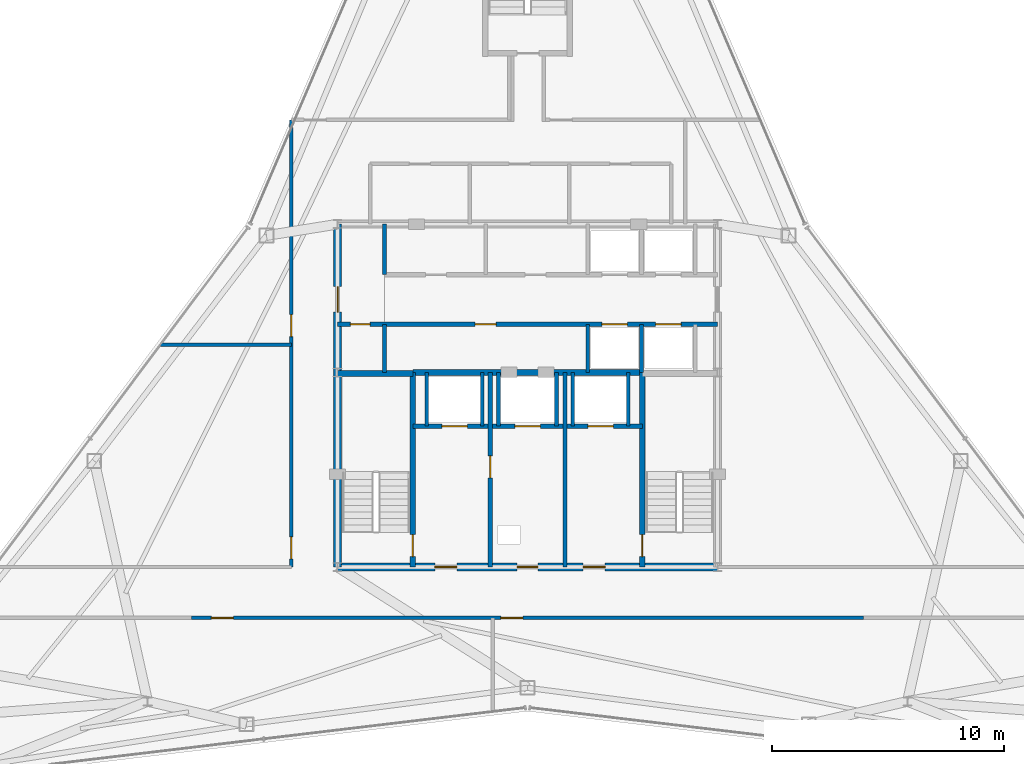
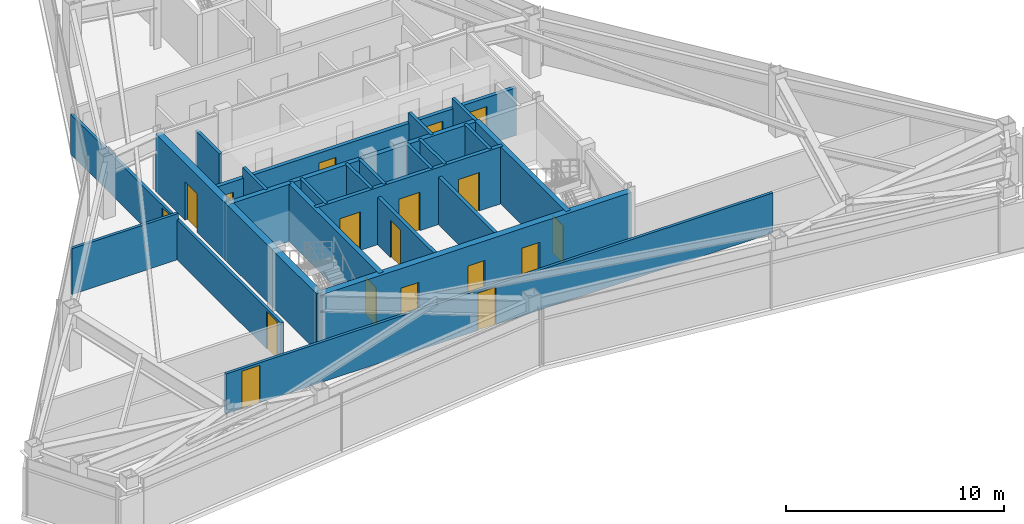
# One storey, part 9 of 12: 23 walls, 18 doors, 18 openings.
"""IFC4 building model written with IfcOpenShell, lengths in metres."""

from ifc_helpers import new_model, si_unit, direction, frame, frame_2d, origin, place, context, subcontext, project, spatial, rectangle, extrude, material, layer, layer_set, type_object, element, fill, save


model = new_model("IFC4")

# Units and contexts
model_context = context("Model", 3, precision=1e-05, world=origin(), true_north=direction((0.0, 1.0)))
body_context = subcontext(model_context, "Body", "Model", "MODEL_VIEW")
ifc_project = project(units=[si_unit("LENGTHUNIT", "METRE"), si_unit("AREAUNIT", "SQUARE_METRE"), si_unit("VOLUMEUNIT", "CUBIC_METRE"), si_unit("PLANEANGLEUNIT", "RADIAN"), si_unit("MASSUNIT", "GRAM", prefix="KILO")], contexts=[model_context])

# Site, building, storey
site_placement = place(None, origin())
site = spatial("IfcSite", under=ifc_project, at=site_placement, CompositionType="ELEMENT")
building_placement = place(site_placement, origin())
building = spatial("IfcBuilding", under=site, at=building_placement, Name="Varakhsha Concourse Tower", CompositionType="ELEMENT")
storey_placement = place(building_placement, frame((0.0, 0.0, 286.5)))
storey = spatial("IfcBuildingStorey", under=building, at=storey_placement, Name="L81", CompositionType="ELEMENT", Elevation=286.5)

# Wall, openings, doors
ifc_material_1 = material(Name="Concrete fc 65 MPa", Category="concrete")
ifc_layer_1 = layer(ifc_material_1, 0.35009765625, Name="WL-CORE-350")
ifc_layer_set_1 = layer_set([ifc_layer_1], Name="Concrete fc 65 MPa")
wall_type_1 = type_object("IfcWallType", Name="WL-CORE-350", PredefinedType="SHEAR", material=ifc_layer_set_1)
wall_1_placement = place(storey_placement, frame((31.800048828125, 16.39990234375, 0.0), z_axis=(0.0, 0.0, 1.0), x_axis=(1.0, 0.0, 0.0)))
wall_1 = element("IfcWall", 1, at=wall_1_placement, inside=storey, type_object=wall_type_1, Name="L81 Wall CWALL-S-L81", PredefinedType="SHEAR", context=body_context, shape_type="SweptSolid", body=[
    extrude(rectangle(XDim=16.39990234375, YDim=0.35009765625, at=frame_2d((8.199951171875, 0.0))), origin(), (0.0, 0.0, 1.0), 3.199951171875),
])
opening_1_placement = place(wall_1_placement, frame((7.75, 0.0, 0.0)))
opening_1 = element("IfcOpeningElement", 2, at=opening_1_placement, cuts=wall_1, Name="Opening DF-06", PredefinedType="OPENING", context=body_context, shape_type="SweptSolid", body=[
    extrude(rectangle(XDim=0.89990234375, YDim=2.10009765625, at=frame_2d((0.449951171875, 1.050048828125))), frame((0.0, 0.18505859375, 0.0), z_axis=(0.0, -1.0, 0.0), x_axis=(1.0, 0.0, 0.0)), (0.0, 0.0, 1.0), 0.3701171875),
])
opening_2_placement = place(wall_1_placement, frame((4.199951171875, 0.0, 0.0)))
opening_2 = element("IfcOpeningElement", 3, at=opening_2_placement, cuts=wall_1, Name="Opening DF-05", PredefinedType="OPENING", context=body_context, shape_type="SweptSolid", body=[
    extrude(rectangle(XDim=0.949951171875, YDim=2.10009765625, at=frame_2d((0.47509765625, 1.050048828125))), frame((0.0, 0.18505859375, 0.0), z_axis=(0.0, -1.0, 0.0), x_axis=(1.0, 0.0, 0.0)), (0.0, 0.0, 1.0), 0.3701171875),
])
opening_3_placement = place(wall_1_placement, frame((10.60009765625, 0.0, 0.0)))
opening_3 = element("IfcOpeningElement", 4, at=opening_3_placement, cuts=wall_1, Name="Opening DF-05", PredefinedType="OPENING", context=body_context, shape_type="SweptSolid", body=[
    extrude(rectangle(XDim=0.949951171875, YDim=2.10009765625, at=frame_2d((0.47509765625, 1.050048828125))), frame((0.0, 0.18505859375, 0.0), z_axis=(0.0, -1.0, 0.0), x_axis=(1.0, 0.0, 0.0)), (0.0, 0.0, 1.0), 0.3701171875),
])
ifc_material_2 = material(Name="Hollow Galvanised Steel Fire Door Assembly", Category="steel")
door_type_1 = type_object("IfcDoorType", Name="DR-FD60-900", OperationType="NOTDEFINED", PredefinedType="DOOR", material=ifc_material_2)
door_1_placement = place(opening_1_placement, origin())
door_1 = element("IfcDoor", 5, at=door_1_placement, inside=storey, type_object=door_type_1, Name="L81 Service Riser Vestibule Door", OperationType="SINGLE_SWING_LEFT", OverallHeight=2.10009765625, OverallWidth=0.89990234375, PredefinedType="DOOR", context=body_context, shape_type="SweptSolid", body=[
    extrude(rectangle(XDim=0.89990234375, YDim=2.10009765625, at=frame_2d((0.449951171875, 1.050048828125))), frame((0.0, 0.02490234375, 0.0), z_axis=(0.0, -1.0, 0.0), x_axis=(1.0, 0.0, 0.0)), (0.0, 0.0, 1.0), 0.050048828125),
])
fill(opening_1, door_1)
door_type_2 = type_object("IfcDoorType", Name="DR-FD60-950", OperationType="NOTDEFINED", PredefinedType="DOOR", material=ifc_material_2)
door_2_placement = place(opening_2_placement, origin())
door_2 = element("IfcDoor", 6, at=door_2_placement, inside=storey, type_object=door_type_2, Name="L81 Firefighting Lobby West Door", OperationType="SINGLE_SWING_RIGHT", OverallHeight=2.10009765625, OverallWidth=0.949951171875, PredefinedType="DOOR", context=body_context, shape_type="SweptSolid", body=[
    extrude(rectangle(XDim=0.949951171875, YDim=2.10009765625, at=frame_2d((0.47509765625, 1.050048828125))), frame((0.0, 0.02490234375, 0.0), z_axis=(0.0, -1.0, 0.0), x_axis=(1.0, 0.0, 0.0)), (0.0, 0.0, 1.0), 0.050048828125),
])
fill(opening_2, door_2)
door_3_placement = place(opening_3_placement, origin())
door_3 = element("IfcDoor", 7, at=door_3_placement, inside=storey, type_object=door_type_2, Name="L81 Firefighting Lobby East Door", OperationType="SINGLE_SWING_LEFT", OverallHeight=2.10009765625, OverallWidth=0.949951171875, PredefinedType="DOOR", context=body_context, shape_type="SweptSolid", body=[
    extrude(rectangle(XDim=0.949951171875, YDim=2.10009765625, at=frame_2d((0.47509765625, 1.050048828125))), frame((0.0, 0.02490234375, 0.0), z_axis=(0.0, -1.0, 0.0), x_axis=(1.0, 0.0, 0.0)), (0.0, 0.0, 1.0), 0.050048828125),
])
fill(opening_3, door_3)

# Wall, opening, door
wall_2_placement = place(storey_placement, frame((31.800048828125, 16.39990234375, 0.0), z_axis=(0.0, 0.0, 1.0), x_axis=(0.0, 1.0, 0.0)))
wall_2 = element("IfcWall", 8, at=wall_2_placement, inside=storey, type_object=wall_type_1, Name="L81 Wall CWALL-W-L81", PredefinedType="SHEAR", context=body_context, shape_type="SweptSolid", body=[
    extrude(rectangle(XDim=14.800048828125, YDim=0.35009765625, at=frame_2d((7.39990234375, 0.0))), origin(), (0.0, 0.0, 1.0), 3.199951171875),
])
opening_4_placement = place(wall_2_placement, frame((11.0, 0.0, 0.0)))
opening_4 = element("IfcOpeningElement", 9, at=opening_4_placement, cuts=wall_2, Name="Opening DL-01", PredefinedType="OPENING", context=body_context, shape_type="SweptSolid", body=[
    extrude(rectangle(XDim=1.10009765625, YDim=2.14990234375, at=frame_2d((0.550048828125, 1.074951171875))), frame((0.0, 0.18505859375, 0.0), z_axis=(0.0, -1.0, 0.0), x_axis=(1.0, 0.0, 0.0)), (0.0, 0.0, 1.0), 0.3701171875),
])
ifc_material_3 = material(Name="Anodised Bronze Architectural Aluminium AA 6063-T6", Category="aluminium")
door_type_3 = type_object("IfcDoorType", Name="DR-LOB-1100", OperationType="NOTDEFINED", PredefinedType="DOOR", material=ifc_material_3)
door_4_placement = place(opening_4_placement, origin())
door_4 = element("IfcDoor", 10, at=door_4_placement, inside=storey, type_object=door_type_3, Name="L81 Lift Lobby West Concourse Door", OperationType="SINGLE_SWING_LEFT", OverallHeight=2.14990234375, OverallWidth=1.10009765625, PredefinedType="DOOR", context=body_context, shape_type="SweptSolid", body=[
    extrude(rectangle(XDim=1.10009765625, YDim=2.14990234375, at=frame_2d((0.550048828125, 1.074951171875))), frame((0.0, 0.02490234375, 0.0), z_axis=(0.0, -1.0, 0.0), x_axis=(1.0, 0.0, 0.0)), (0.0, 0.0, 1.0), 0.050048828125),
])
fill(opening_4, door_4)

ifc_material_4 = material(Name="Fire-Rated Type X Gypsum Partition Assembly", Category="gypsum")
ifc_layer_2 = layer(ifc_material_4, 0.179931640625, Name="WL-FFLOB-180")
ifc_layer_set_2 = layer_set([ifc_layer_2], Name="Fire-Rated Type X Gypsum Partition Assembly")
wall_type_2 = type_object("IfcWallType", Name="WL-FFLOB-180", PredefinedType="PARTITIONING", material=ifc_layer_set_2)
wall_3_placement = place(storey_placement, frame((38.389892578125, 16.39990234375, 0.0), z_axis=(0.0, 0.0, 1.0), x_axis=(0.0, 1.0, 0.0)))
wall_3 = element("IfcWall", 11, at=wall_3_placement, inside=storey, type_object=wall_type_2, Name="L81 Wall FFW-1E-L81", PredefinedType="PARTITIONING", context=body_context, shape_type="SweptSolid", body=[
    extrude(rectangle(XDim=8.400146484375, YDim=0.179931640625, at=frame_2d((4.2001953125, 0.0))), origin(), (0.0, 0.0, 1.0), 2.655029296875),
])
opening_5_placement = place(wall_3_placement, frame((3.85009765625, 0.0, 0.0)))
opening_5 = element("IfcOpeningElement", 12, at=opening_5_placement, cuts=wall_3, Name="Opening DF-05", PredefinedType="OPENING", context=body_context, shape_type="SweptSolid", body=[
    extrude(rectangle(XDim=0.949951171875, YDim=2.10009765625, at=frame_2d((0.47509765625, 1.050048828125))), frame((0.0, 0.099853515625, 0.0), z_axis=(0.0, -1.0, 0.0), x_axis=(1.0, 0.0, 0.0)), (0.0, 0.0, 1.0), 0.199951171875),
])
door_5_placement = place(opening_5_placement, origin())
door_5 = element("IfcDoor", 13, at=door_5_placement, inside=storey, type_object=door_type_2, Name="L81 Service Vestibule Door", OperationType="SINGLE_SWING_RIGHT", OverallHeight=2.10009765625, OverallWidth=0.949951171875, PredefinedType="DOOR", context=body_context, shape_type="SweptSolid", body=[
    extrude(rectangle(XDim=0.949951171875, YDim=2.10009765625, at=frame_2d((0.47509765625, 1.050048828125))), frame((0.0, 0.02490234375, 0.0), z_axis=(0.0, -1.0, 0.0), x_axis=(1.0, 0.0, 0.0)), (0.0, 0.0, 1.0), 0.050048828125),
])
fill(opening_5, door_5)

# Wall
wall_4_placement = place(storey_placement, frame((41.610107421875, 16.39990234375, 0.0), z_axis=(0.0, 0.0, 1.0), x_axis=(0.0, 1.0, 0.0)))
element("IfcWall", 14, at=wall_4_placement, inside=storey, type_object=wall_type_2, Name="L81 Wall FFW-2W-L81", PredefinedType="PARTITIONING", context=body_context, shape_type="SweptSolid", body=[
    extrude(rectangle(XDim=8.400146484375, YDim=0.179931640625, at=frame_2d((4.2001953125, 0.0))), origin(), (0.0, 0.0, 1.0), 2.655029296875),
])

# Wall, openings, doors
ifc_layer_3 = layer(ifc_material_4, 0.14990234375, Name="WL-PART-150")
ifc_layer_set_3 = layer_set([ifc_layer_3], Name="Fire-Rated Type X Gypsum Partition Assembly")
wall_type_3 = type_object("IfcWallType", Name="WL-PART-150", PredefinedType="PARTITIONING", material=ifc_layer_set_3)
wall_5_placement = place(storey_placement, frame((29.800048828125, 16.39990234375, 0.0), z_axis=(0.0, 0.0, 1.0), x_axis=(0.0, 1.0, 0.0)))
wall_5 = element("IfcWall", 15, at=wall_5_placement, inside=storey, type_object=wall_type_3, Name="L81 Wall CRW-W-L81", PredefinedType="PARTITIONING", context=body_context, shape_type="SweptSolid", body=[
    extrude(rectangle(XDim=19.300048828125, YDim=0.14990234375, at=frame_2d((9.64990234375, 0.0))), origin(), (0.0, 0.0, 1.0), 2.241943359375),
])
opening_6_placement = place(wall_5_placement, frame((0.35009765625, 0.0, 0.0)))
opening_6 = element("IfcOpeningElement", 16, at=opening_6_placement, cuts=wall_5, Name="Opening DF-05", PredefinedType="OPENING", context=body_context, shape_type="SweptSolid", body=[
    extrude(rectangle(XDim=0.949951171875, YDim=2.10009765625, at=frame_2d((0.47509765625, 1.050048828125))), frame((0.0, 0.0849609375, 0.0), z_axis=(0.0, -1.0, 0.0), x_axis=(1.0, 0.0, 0.0)), (0.0, 0.0, 1.0), 0.169921875),
])
opening_7_placement = place(wall_5_placement, frame((9.949951171875, 0.0, 0.0)))
opening_7 = element("IfcOpeningElement", 17, at=opening_7_placement, cuts=wall_5, Name="Opening DF-05", PredefinedType="OPENING", context=body_context, shape_type="SweptSolid", body=[
    extrude(rectangle(XDim=0.949951171875, YDim=2.10009765625, at=frame_2d((0.47509765625, 1.050048828125))), frame((0.0, 0.0849609375, 0.0), z_axis=(0.0, -1.0, 0.0), x_axis=(1.0, 0.0, 0.0)), (0.0, 0.0, 1.0), 0.169921875),
])
door_6_placement = place(opening_6_placement, origin())
door_6 = element("IfcDoor", 18, at=door_6_placement, inside=storey, type_object=door_type_2, Name="L81 Curatorial Exhibition Studio L81 Door", OperationType="SINGLE_SWING_LEFT", OverallHeight=2.10009765625, OverallWidth=0.949951171875, PredefinedType="DOOR", context=body_context, shape_type="SweptSolid", body=[
    extrude(rectangle(XDim=0.949951171875, YDim=2.10009765625, at=frame_2d((0.47509765625, 1.050048828125))), frame((0.0, 0.02490234375, 0.0), z_axis=(0.0, -1.0, 0.0), x_axis=(1.0, 0.0, 0.0)), (0.0, 0.0, 1.0), 0.050048828125),
])
fill(opening_6, door_6)
door_7_placement = place(opening_7_placement, origin())
door_7 = element("IfcDoor", 19, at=door_7_placement, inside=storey, type_object=door_type_2, Name="L81 Summit Observatory Gallery L81-W2 Door", OperationType="SINGLE_SWING_RIGHT", OverallHeight=2.10009765625, OverallWidth=0.949951171875, PredefinedType="DOOR", context=body_context, shape_type="SweptSolid", body=[
    extrude(rectangle(XDim=0.949951171875, YDim=2.10009765625, at=frame_2d((0.47509765625, 1.050048828125))), frame((0.0, 0.02490234375, 0.0), z_axis=(0.0, -1.0, 0.0), x_axis=(1.0, 0.0, 0.0)), (0.0, 0.0, 1.0), 0.050048828125),
])
fill(opening_7, door_7)

wall_6_placement = place(storey_placement, frame((25.5, 14.199951171875, 0.0), z_axis=(0.0, 0.0, 1.0), x_axis=(1.0, 0.0, 0.0)))
wall_6 = element("IfcWall", 20, at=wall_6_placement, inside=storey, type_object=wall_type_3, Name="L81 Wall CRW-S-DOOR-L81", PredefinedType="PARTITIONING", context=body_context, shape_type="SweptSolid", body=[
    extrude(rectangle(XDim=29.0, YDim=0.14990234375, at=frame_2d((14.5, 0.0))), origin(), (0.0, 0.0, 1.0), 2.241943359375),
])
opening_8_placement = place(wall_6_placement, frame((0.85009765625, 0.0, 0.0)))
opening_8 = element("IfcOpeningElement", 21, at=opening_8_placement, cuts=wall_6, Name="Opening DF-05", PredefinedType="OPENING", context=body_context, shape_type="SweptSolid", body=[
    extrude(rectangle(XDim=0.949951171875, YDim=2.10009765625, at=frame_2d((0.47509765625, 1.050048828125))), frame((0.0, 0.0849609375, 0.0), z_axis=(0.0, -1.0, 0.0), x_axis=(1.0, 0.0, 0.0)), (0.0, 0.0, 1.0), 0.169921875),
])
opening_9_placement = place(wall_6_placement, frame((13.35009765625, 0.0, 0.0)))
opening_9 = element("IfcOpeningElement", 22, at=opening_9_placement, cuts=wall_6, Name="Opening DF-05", PredefinedType="OPENING", context=body_context, shape_type="SweptSolid", body=[
    extrude(rectangle(XDim=0.949951171875, YDim=2.10009765625, at=frame_2d((0.47509765625, 1.050048828125))), frame((0.0, 0.0849609375, 0.0), z_axis=(0.0, -1.0, 0.0), x_axis=(1.0, 0.0, 0.0)), (0.0, 0.0, 1.0), 0.169921875),
])
door_8_placement = place(opening_8_placement, origin())
door_8 = element("IfcDoor", 23, at=door_8_placement, inside=storey, type_object=door_type_2, Name="L81 Front Range VIP Salon L81-S1 Door", OperationType="SINGLE_SWING_LEFT", OverallHeight=2.10009765625, OverallWidth=0.949951171875, PredefinedType="DOOR", context=body_context, shape_type="SweptSolid", body=[
    extrude(rectangle(XDim=0.949951171875, YDim=2.10009765625, at=frame_2d((0.47509765625, 1.050048828125))), frame((0.0, 0.02490234375, 0.0), z_axis=(0.0, -1.0, 0.0), x_axis=(1.0, 0.0, 0.0)), (0.0, 0.0, 1.0), 0.050048828125),
])
fill(opening_8, door_8)
door_9_placement = place(opening_9_placement, origin())
door_9 = element("IfcDoor", 24, at=door_9_placement, inside=storey, type_object=door_type_2, Name="L81 Summit Observatory Gallery L81-S2 Door", OperationType="SINGLE_SWING_RIGHT", OverallHeight=2.10009765625, OverallWidth=0.949951171875, PredefinedType="DOOR", context=body_context, shape_type="SweptSolid", body=[
    extrude(rectangle(XDim=0.949951171875, YDim=2.10009765625, at=frame_2d((0.47509765625, 1.050048828125))), frame((0.0, 0.02490234375, 0.0), z_axis=(0.0, -1.0, 0.0), x_axis=(1.0, 0.0, 0.0)), (0.0, 0.0, 1.0), 0.050048828125),
])
fill(opening_9, door_9)

# Wall
wall_7_placement = place(storey_placement, frame((24.1572265625, 26.0, 0.0), z_axis=(0.0, 0.0, 1.0), x_axis=(1.0, 0.0, 0.0)))
element("IfcWall", 25, at=wall_7_placement, inside=storey, type_object=wall_type_3, Name="L81 Wall ODIV-W1-L81", PredefinedType="PARTITIONING", context=body_context, shape_type="SweptSolid", body=[
    extrude(rectangle(XDim=5.642822265625, YDim=0.14990234375, at=frame_2d((2.8212890625, 0.0))), origin(), (0.0, 0.0, 1.0), 2.577880859375),
])

# Wall, openings, doors
ifc_layer_4 = layer(ifc_material_4, 0.199951171875, Name="WL-SHAFT-220")
ifc_layer_set_4 = layer_set([ifc_layer_4], Name="Fire-Rated Type X Gypsum Partition Assembly")
wall_type_4 = type_object("IfcWallType", Name="WL-SHAFT-220", PredefinedType="SOLIDWALL", material=ifc_layer_set_4)
wall_8_placement = place(storey_placement, frame((35.044921875, 22.47998046875, 0.0), z_axis=(0.0, 0.0, 1.0), x_axis=(1.0, 0.0, 0.0)))
wall_8 = element("IfcWall", 26, at=wall_8_placement, inside=storey, type_object=wall_type_4, Name="L81 Wall FFW-NH-L81", PredefinedType="SOLIDWALL", context=body_context, shape_type="SweptSolid", body=[
    extrude(rectangle(XDim=9.91015625, YDim=0.199951171875, at=frame_2d((4.955078125, 0.0))), origin(), (0.0, 0.0, 1.0), 3.199951171875),
])
opening_10_placement = place(wall_8_placement, frame((1.2548828125, 0.0, 0.0)))
opening_10 = element("IfcOpeningElement", 27, at=opening_10_placement, cuts=wall_8, Name="Opening LD-FFL-1", PredefinedType="OPENING", context=body_context, shape_type="SweptSolid", body=[
    extrude(rectangle(XDim=1.10009765625, YDim=2.14990234375, at=frame_2d((0.550048828125, 1.074951171875))), frame((0.0, 0.10986328125, 0.0), z_axis=(0.0, -1.0, 0.0), x_axis=(1.0, 0.0, 0.0)), (0.0, 0.0, 1.0), 0.219970703125),
])
opening_11_placement = place(wall_8_placement, frame((7.554931640625, 0.0, 0.0)))
opening_11 = element("IfcOpeningElement", 28, at=opening_11_placement, cuts=wall_8, Name="Opening LD-FFL-2", PredefinedType="OPENING", context=body_context, shape_type="SweptSolid", body=[
    extrude(rectangle(XDim=1.10009765625, YDim=2.14990234375, at=frame_2d((0.550048828125, 1.074951171875))), frame((0.0, 0.10986328125, 0.0), z_axis=(0.0, -1.0, 0.0), x_axis=(1.0, 0.0, 0.0)), (0.0, 0.0, 1.0), 0.219970703125),
])
opening_12_placement = place(wall_8_placement, frame((4.405029296875, 0.0, 0.0)))
opening_12 = element("IfcOpeningElement", 29, at=opening_12_placement, cuts=wall_8, Name="Opening LD-SVL-1", PredefinedType="OPENING", context=body_context, shape_type="SweptSolid", body=[
    extrude(rectangle(XDim=1.10009765625, YDim=2.14990234375, at=frame_2d((0.550048828125, 1.074951171875))), frame((0.0, 0.10986328125, 0.0), z_axis=(0.0, -1.0, 0.0), x_axis=(1.0, 0.0, 0.0)), (0.0, 0.0, 1.0), 0.219970703125),
])
ifc_material_5 = material(Name="Brushed Austenitic Stainless Steel AISI 316", Category="steel")
door_type_4 = type_object("IfcDoorType", Name="DR-LD-1100", OperationType="DOUBLE_DOOR_SLIDING", PredefinedType="DOOR", material=ifc_material_5)
door_10_placement = place(opening_10_placement, origin())
door_10 = element("IfcDoor", 30, at=door_10_placement, inside=storey, type_object=door_type_4, Name="Lift Landing Door FFL-1 L81", OperationType="DOUBLE_DOOR_SLIDING", OverallHeight=2.14990234375, OverallWidth=1.10009765625, PredefinedType="DOOR", context=body_context, shape_type="SweptSolid", body=[
    extrude(rectangle(XDim=1.10009765625, YDim=2.14990234375, at=frame_2d((0.550048828125, 1.074951171875))), frame((0.0, 0.02490234375, 0.0), z_axis=(0.0, -1.0, 0.0), x_axis=(1.0, 0.0, 0.0)), (0.0, 0.0, 1.0), 0.050048828125),
])
fill(opening_10, door_10)
door_11_placement = place(opening_11_placement, origin())
door_11 = element("IfcDoor", 31, at=door_11_placement, inside=storey, type_object=door_type_4, Name="Lift Landing Door FFL-2 L81", OperationType="DOUBLE_DOOR_SLIDING", OverallHeight=2.14990234375, OverallWidth=1.10009765625, PredefinedType="DOOR", context=body_context, shape_type="SweptSolid", body=[
    extrude(rectangle(XDim=1.10009765625, YDim=2.14990234375, at=frame_2d((0.550048828125, 1.074951171875))), frame((0.0, 0.02490234375, 0.0), z_axis=(0.0, -1.0, 0.0), x_axis=(1.0, 0.0, 0.0)), (0.0, 0.0, 1.0), 0.050048828125),
])
fill(opening_11, door_11)
door_12_placement = place(opening_12_placement, origin())
door_12 = element("IfcDoor", 32, at=door_12_placement, inside=storey, type_object=door_type_4, Name="Lift Landing Door SVL-1 L81", OperationType="DOUBLE_DOOR_SLIDING", OverallHeight=2.14990234375, OverallWidth=1.10009765625, PredefinedType="DOOR", context=body_context, shape_type="SweptSolid", body=[
    extrude(rectangle(XDim=1.10009765625, YDim=2.14990234375, at=frame_2d((0.550048828125, 1.074951171875))), frame((0.0, 0.02490234375, 0.0), z_axis=(0.0, -1.0, 0.0), x_axis=(1.0, 0.0, 0.0)), (0.0, 0.0, 1.0), 0.050048828125),
])
fill(opening_12, door_12)

# Walls
for number, where, z_axis, x_axis, name in (
    (33, (35.64990234375, 22.47998046875, 0.0), (0.0, 0.0, 1.0), (0.0, 1.0, 0.0), "L81 Wall SHW-FFL-1-W-L81"),
    (34, (38.050048828125, 22.47998046875, 0.0), (0.0, 0.0, 1.0), (0.0, 1.0, 0.0), "L81 Wall SHW-FFL-1-E-L81"),
    (35, (41.949951171875, 22.47998046875, 0.0), (0.0, 0.0, 1.0), (0.0, 1.0, 0.0), "L81 Wall SHW-FFL-2-W-L81"),
    (36, (44.35009765625, 22.47998046875, 0.0), (0.0, 0.0, 1.0), (0.0, 1.0, 0.0), "L81 Wall SHW-FFL-2-E-L81"),
    (37, (38.75, 22.47998046875, 0.0), (0.0, 0.0, 1.0), (0.0, 1.0, 0.0), "L81 Wall SHW-SVL-1-W-L81"),
    (38, (41.25, 22.47998046875, 0.0), (0.0, 0.0, 1.0), (0.0, 1.0, 0.0), "L81 Wall SHW-SVL-1-E-L81"),
):
    element("IfcWall", number, at=place(storey_placement, frame(where, z_axis=z_axis, x_axis=x_axis)), inside=storey, type_object=wall_type_4, Name=name, PredefinedType="SOLIDWALL", context=body_context, shape_type="SweptSolid", body=[
        extrude(rectangle(XDim=2.320068359375, YDim=0.159912109375, at=frame_2d((1.16015625, 0.0))), origin(), (0.0, 0.0, 1.0), 3.199951171875),
    ])

# Wall, openings, doors
wall_9_placement = place(storey_placement, frame((31.800048828125, 26.8798828125, 0.0), z_axis=(0.0, 0.0, 1.0), x_axis=(1.0, 0.0, 0.0)))
wall_9 = element("IfcWall", 39, at=wall_9_placement, inside=storey, type_object=wall_type_4, Name="L81 Wall PLW-S-L81", PredefinedType="SOLIDWALL", context=body_context, shape_type="SweptSolid", body=[
    extrude(rectangle(XDim=16.39990234375, YDim=0.199951171875, at=frame_2d((8.199951171875, 0.0))), origin(), (0.0, 0.0, 1.0), 2.655029296875),
])
opening_13_placement = place(wall_9_placement, frame((0.550048828125, 0.0, 0.0)))
opening_13 = element("IfcOpeningElement", 40, at=opening_13_placement, cuts=wall_9, Name="Opening DF-07", PredefinedType="OPENING", context=body_context, shape_type="SweptSolid", body=[
    extrude(rectangle(XDim=0.85009765625, YDim=2.050048828125, at=frame_2d((0.425048828125, 1.02490234375))), frame((0.0, 0.10986328125, 0.0), z_axis=(0.0, -1.0, 0.0), x_axis=(1.0, 0.0, 0.0)), (0.0, 0.0, 1.0), 0.219970703125),
])
opening_14_placement = place(wall_9_placement, frame((5.93994140625, 0.0, 0.0)))
opening_14 = element("IfcOpeningElement", 41, at=opening_14_placement, cuts=wall_9, Name="Opening DF-06", PredefinedType="OPENING", context=body_context, shape_type="SweptSolid", body=[
    extrude(rectangle(XDim=0.89990234375, YDim=2.10009765625, at=frame_2d((0.449951171875, 1.050048828125))), frame((0.0, 0.10986328125, 0.0), z_axis=(0.0, -1.0, 0.0), x_axis=(1.0, 0.0, 0.0)), (0.0, 0.0, 1.0), 0.219970703125),
])
opening_15_placement = place(wall_9_placement, frame((11.409912109375, 0.0, 0.0)))
opening_15 = element("IfcOpeningElement", 42, at=opening_15_placement, cuts=wall_9, Name="Opening LD-LF-P11", PredefinedType="OPENING", context=body_context, shape_type="SweptSolid", body=[
    extrude(rectangle(XDim=1.10009765625, YDim=2.14990234375, at=frame_2d((0.550048828125, 1.074951171875))), frame((0.0, 0.10986328125, 0.0), z_axis=(0.0, -1.0, 0.0), x_axis=(1.0, 0.0, 0.0)), (0.0, 0.0, 1.0), 0.219970703125),
])
opening_16_placement = place(wall_9_placement, frame((13.72998046875, 0.0, 0.0)))
opening_16 = element("IfcOpeningElement", 43, at=opening_16_placement, cuts=wall_9, Name="Opening LD-LF-P12", PredefinedType="OPENING", context=body_context, shape_type="SweptSolid", body=[
    extrude(rectangle(XDim=1.10009765625, YDim=2.14990234375, at=frame_2d((0.550048828125, 1.074951171875))), frame((0.0, 0.10986328125, 0.0), z_axis=(0.0, -1.0, 0.0), x_axis=(1.0, 0.0, 0.0)), (0.0, 0.0, 1.0), 0.219970703125),
])
door_type_5 = type_object("IfcDoorType", Name="DR-FD60-850", OperationType="NOTDEFINED", PredefinedType="DOOR", material=ifc_material_2)
door_13_placement = place(opening_13_placement, origin())
door_13 = element("IfcDoor", 44, at=door_13_placement, inside=storey, type_object=door_type_5, Name="L81 Core Telecoms Closet Door", OperationType="SINGLE_SWING_RIGHT", OverallHeight=2.050048828125, OverallWidth=0.85009765625, PredefinedType="DOOR", context=body_context, shape_type="SweptSolid", body=[
    extrude(rectangle(XDim=0.85009765625, YDim=2.050048828125, at=frame_2d((0.425048828125, 1.02490234375))), frame((0.0, 0.02490234375, 0.0), z_axis=(0.0, -1.0, 0.0), x_axis=(1.0, 0.0, 0.0)), (0.0, 0.0, 1.0), 0.050048828125),
])
fill(opening_13, door_13)
door_14_placement = place(opening_14_placement, origin())
door_14 = element("IfcDoor", 45, at=door_14_placement, inside=storey, type_object=door_type_1, Name="L81 Executive Pantry and Copy Suite Door", OperationType="SINGLE_SWING_RIGHT", OverallHeight=2.10009765625, OverallWidth=0.89990234375, PredefinedType="DOOR", context=body_context, shape_type="SweptSolid", body=[
    extrude(rectangle(XDim=0.89990234375, YDim=2.10009765625, at=frame_2d((0.449951171875, 1.050048828125))), frame((0.0, 0.02490234375, 0.0), z_axis=(0.0, -1.0, 0.0), x_axis=(1.0, 0.0, 0.0)), (0.0, 0.0, 1.0), 0.050048828125),
])
fill(opening_14, door_14)
door_15_placement = place(opening_15_placement, origin())
door_15 = element("IfcDoor", 46, at=door_15_placement, inside=storey, type_object=door_type_4, Name="Lift Landing Door LF-P11 L81", OperationType="DOUBLE_DOOR_SLIDING", OverallHeight=2.14990234375, OverallWidth=1.10009765625, PredefinedType="DOOR", context=body_context, shape_type="SweptSolid", body=[
    extrude(rectangle(XDim=1.10009765625, YDim=2.14990234375, at=frame_2d((0.550048828125, 1.074951171875))), frame((0.0, 0.02490234375, 0.0), z_axis=(0.0, -1.0, 0.0), x_axis=(1.0, 0.0, 0.0)), (0.0, 0.0, 1.0), 0.050048828125),
])
fill(opening_15, door_15)
door_16_placement = place(opening_16_placement, origin())
door_16 = element("IfcDoor", 47, at=door_16_placement, inside=storey, type_object=door_type_4, Name="Lift Landing Door LF-P12 L81", OperationType="DOUBLE_DOOR_SLIDING", OverallHeight=2.14990234375, OverallWidth=1.10009765625, PredefinedType="DOOR", context=body_context, shape_type="SweptSolid", body=[
    extrude(rectangle(XDim=1.10009765625, YDim=2.14990234375, at=frame_2d((0.550048828125, 1.074951171875))), frame((0.0, 0.02490234375, 0.0), z_axis=(0.0, -1.0, 0.0), x_axis=(1.0, 0.0, 0.0)), (0.0, 0.0, 1.0), 0.050048828125),
])
fill(opening_16, door_16)

# Walls
wall_10_placement = place(storey_placement, frame((33.820068359375, 29.02001953125, 0.0), z_axis=(0.0, 0.0, 1.0), x_axis=(0.0, 1.0, 0.0)))
element("IfcWall", 48, at=wall_10_placement, inside=storey, type_object=wall_type_4, Name="L81 Wall WBOH-E1-L81", PredefinedType="SOLIDWALL", context=body_context, shape_type="SweptSolid", body=[
    extrude(rectangle(XDim=2.179931640625, YDim=0.159912109375, at=frame_2d((1.08984375, 0.0))), origin(), (0.0, 0.0, 1.0), 2.655029296875),
])
for number, where, z_axis, x_axis, name in (
    (49, (33.820068359375, 24.800048828125, 0.0), (0.0, 0.0, 1.0), (0.0, 1.0, 0.0), "L81 Wall WBOH-E2-L81"),
    (50, (42.60009765625, 24.800048828125, 0.0), (0.0, 0.0, 1.0), (0.0, 1.0, 0.0), "L81 Wall SHW-LF-P11-W-L81"),
    (51, (44.919921875, 24.800048828125, 0.0), (0.0, 0.0, 1.0), (0.0, 1.0, 0.0), "L81 Wall SHW-LF-P11-E-L81"),
):
    element("IfcWall", number, at=place(storey_placement, frame(where, z_axis=z_axis, x_axis=x_axis)), inside=storey, type_object=wall_type_4, Name=name, PredefinedType="SOLIDWALL", context=body_context, shape_type="SweptSolid", body=[
        extrude(rectangle(XDim=2.079833984375, YDim=0.159912109375, at=frame_2d((1.0400390625, 0.0))), origin(), (0.0, 0.0, 1.0), 3.199951171875),
    ])

# Wall, opening, door
ifc_material_6 = material(Name="Concrete fc 45 MPa", Category="concrete")
ifc_layer_5 = layer(ifc_material_6, 0.25, Name="WL-STAIR-250")
ifc_layer_set_5 = layer_set([ifc_layer_5], Name="Concrete fc 45 MPa")
wall_type_5 = type_object("IfcWallType", Name="WL-STAIR-250", PredefinedType="SHEAR", material=ifc_layer_set_5)
wall_11_placement = place(storey_placement, frame((35.044921875, 16.39990234375, 0.0), z_axis=(0.0, 0.0, 1.0), x_axis=(0.0, 1.0, 0.0)))
wall_11 = element("IfcWall", 52, at=wall_11_placement, inside=storey, type_object=wall_type_5, Name="L81 Wall SWALL-ST1-E-L81", PredefinedType="SHEAR", context=body_context, shape_type="SweptSolid", body=[
    extrude(rectangle(XDim=8.400146484375, YDim=0.25, at=frame_2d((4.2001953125, 0.0))), origin(), (0.0, 0.0, 1.0), 3.199951171875),
])
opening_17_placement = place(wall_11_placement, frame((0.449951171875, 0.0, 0.0)))
opening_17 = element("IfcOpeningElement", 53, at=opening_17_placement, cuts=wall_11, Name="Opening DF-03", PredefinedType="OPENING", context=body_context, shape_type="SweptSolid", body=[
    extrude(rectangle(XDim=0.949951171875, YDim=2.10009765625, at=frame_2d((0.47509765625, 1.050048828125))), frame((0.0, 0.135009765625, 0.0), z_axis=(0.0, -1.0, 0.0), x_axis=(1.0, 0.0, 0.0)), (0.0, 0.0, 1.0), 0.27001953125),
])
door_type_6 = type_object("IfcDoorType", Name="DR-FD90-950", OperationType="NOTDEFINED", PredefinedType="DOOR", material=ifc_material_2)
door_17_placement = place(opening_17_placement, origin())
door_17 = element("IfcDoor", 54, at=door_17_placement, inside=storey, type_object=door_type_6, Name="L81 Stair ST1 Fire Door", OperationType="SINGLE_SWING_LEFT", OverallHeight=2.10009765625, OverallWidth=0.949951171875, PredefinedType="DOOR", context=body_context, shape_type="SweptSolid", body=[
    extrude(rectangle(XDim=0.949951171875, YDim=2.10009765625, at=frame_2d((0.47509765625, 1.050048828125))), frame((0.0, 0.02490234375, 0.0), z_axis=(0.0, -1.0, 0.0), x_axis=(1.0, 0.0, 0.0)), (0.0, 0.0, 1.0), 0.050048828125),
])
fill(opening_17, door_17)

# Wall
wall_12_placement = place(storey_placement, frame((31.800048828125, 24.7548828125, 0.0), z_axis=(0.0, 0.0, 1.0), x_axis=(1.0, 0.0, 0.0)))
element("IfcWall", 55, at=wall_12_placement, inside=storey, type_object=wall_type_5, Name="L81 Wall SWALL-ST1-N-L81", PredefinedType="SHEAR", context=body_context, shape_type="SweptSolid", body=[
    extrude(rectangle(XDim=3.244873046875, YDim=0.25, at=frame_2d((1.62255859375, 0.0))), origin(), (0.0, 0.0, 1.0), 3.199951171875),
])

# Wall, opening, door
wall_13_placement = place(storey_placement, frame((44.955078125, 16.39990234375, 0.0), z_axis=(0.0, 0.0, 1.0), x_axis=(0.0, 1.0, 0.0)))
wall_13 = element("IfcWall", 56, at=wall_13_placement, inside=storey, type_object=wall_type_5, Name="L81 Wall SWALL-ST2-W-L81", PredefinedType="SHEAR", context=body_context, shape_type="SweptSolid", body=[
    extrude(rectangle(XDim=8.400146484375, YDim=0.25, at=frame_2d((4.2001953125, 0.0))), origin(), (0.0, 0.0, 1.0), 3.199951171875),
])
opening_18_placement = place(wall_13_placement, frame((0.449951171875, 0.0, 0.0)))
opening_18 = element("IfcOpeningElement", 57, at=opening_18_placement, cuts=wall_13, Name="Opening DF-03", PredefinedType="OPENING", context=body_context, shape_type="SweptSolid", body=[
    extrude(rectangle(XDim=0.949951171875, YDim=2.10009765625, at=frame_2d((0.47509765625, 1.050048828125))), frame((0.0, 0.135009765625, 0.0), z_axis=(0.0, -1.0, 0.0), x_axis=(1.0, 0.0, 0.0)), (0.0, 0.0, 1.0), 0.27001953125),
])
door_18_placement = place(opening_18_placement, origin())
door_18 = element("IfcDoor", 58, at=door_18_placement, inside=storey, type_object=door_type_6, Name="L81 Stair ST2 Fire Door", OperationType="SINGLE_SWING_RIGHT", OverallHeight=2.10009765625, OverallWidth=0.949951171875, PredefinedType="DOOR", context=body_context, shape_type="SweptSolid", body=[
    extrude(rectangle(XDim=0.949951171875, YDim=2.10009765625, at=frame_2d((0.47509765625, 1.050048828125))), frame((0.0, 0.02490234375, 0.0), z_axis=(0.0, -1.0, 0.0), x_axis=(1.0, 0.0, 0.0)), (0.0, 0.0, 1.0), 0.050048828125),
])
fill(opening_18, door_18)

# Wall
wall_14_placement = place(storey_placement, frame((35.044921875, 24.800048828125, 0.0), z_axis=(0.0, 0.0, 1.0), x_axis=(1.0, 0.0, 0.0)))
element("IfcWall", 59, at=wall_14_placement, inside=storey, type_object=wall_type_5, Name="L81 Wall SWALL-MID-H-L81", PredefinedType="SHEAR", context=body_context, shape_type="SweptSolid", body=[
    extrude(rectangle(XDim=9.91015625, YDim=0.25, at=frame_2d((4.955078125, 0.0))), origin(), (0.0, 0.0, 1.0), 3.199951171875),
])

save(model, "model.ifc")
